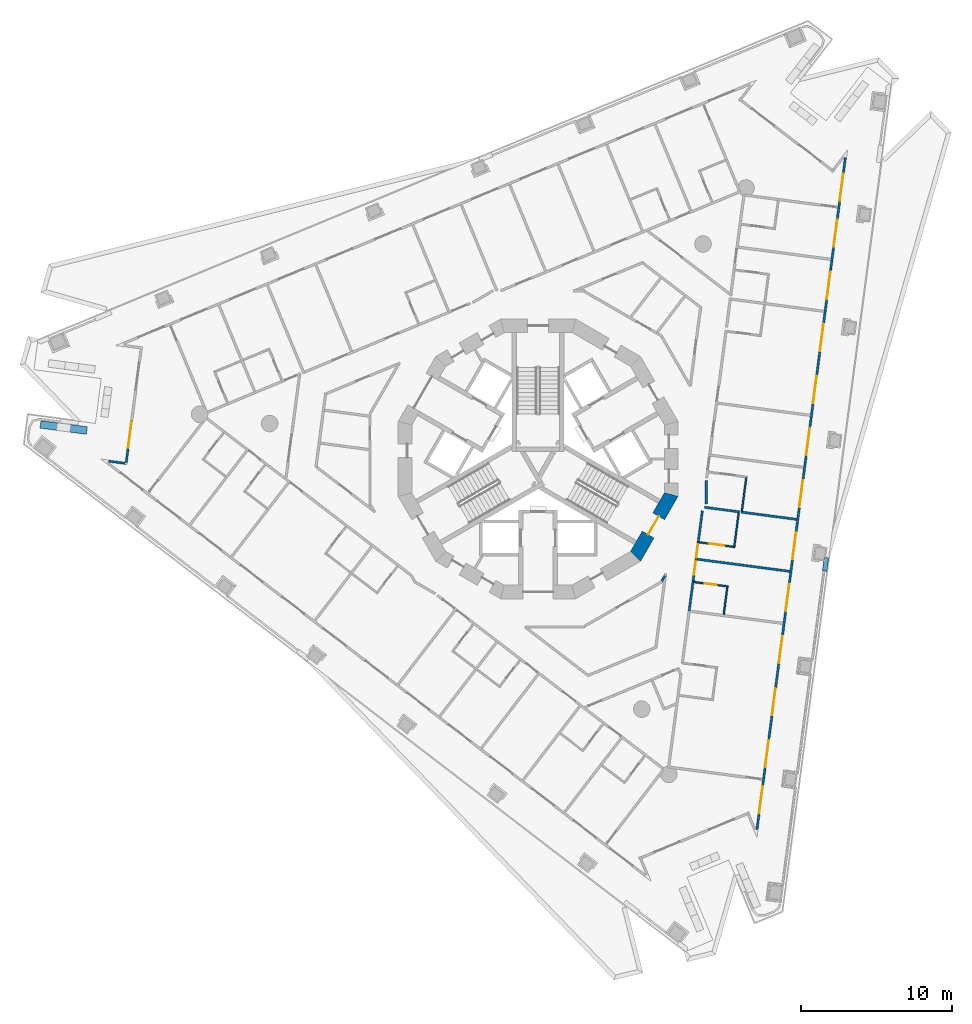
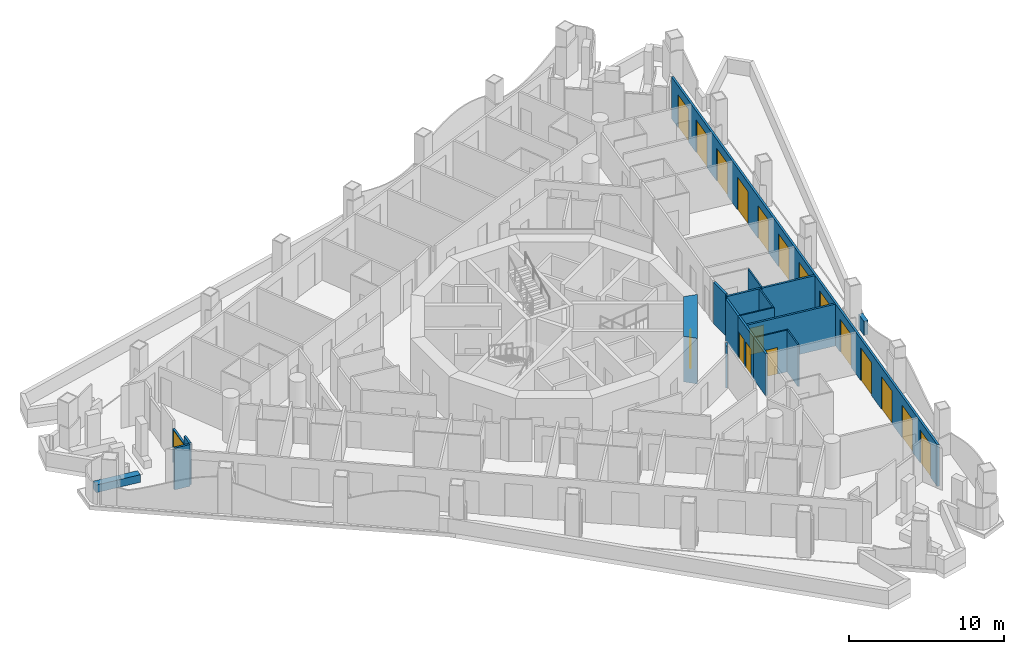
# One storey, part 5 of 19: 20 walls, 19 doors, 19 openings.
"""IFC4 building model written with IfcOpenShell, lengths in metres."""

from ifc_helpers import new_model, si_unit, direction, frame, frame_2d, origin, place, context, subcontext, project, spatial, polyline, rectangle, outline, extrude, material, layer, layer_set, type_object, element, fill, save


model = new_model("IFC4")

# Units and contexts
model_context = context("Model", 3, precision=1e-05, world=origin(), true_north=direction((0.0, 1.0)))
body_context = subcontext(model_context, "Body", "Model", "MODEL_VIEW")
ifc_project = project(units=[si_unit("LENGTHUNIT", "METRE"), si_unit("AREAUNIT", "SQUARE_METRE"), si_unit("VOLUMEUNIT", "CUBIC_METRE"), si_unit("PLANEANGLEUNIT", "RADIAN"), si_unit("MASSUNIT", "GRAM", prefix="KILO")], contexts=[model_context])

# Site, building, storey
site_placement = place(None, origin())
site = spatial("IfcSite", under=ifc_project, at=site_placement, CompositionType="ELEMENT")
building_placement = place(site_placement, origin())
building = spatial("IfcBuilding", under=site, at=building_placement, Name="Trine Commons Tower", CompositionType="ELEMENT")
storey_placement = place(building_placement, frame((0.0, 0.0, 124.199951171875)))
storey = spatial("IfcBuildingStorey", under=building, at=storey_placement, Name="L31", CompositionType="ELEMENT", Elevation=124.199951171875)

# Walls
ifc_material_1 = material(Name="Aluminium-framed insulated wall panel", Category="aluminium")
ifc_layer_1 = layer(ifc_material_1, 0.14990234375)
ifc_layer_set_1 = layer_set([ifc_layer_1], Name="Aluminium-framed insulated wall panel")
wall_type_1 = type_object("IfcWallType", Name="Glazed frame wall 150, EI 60", PredefinedType="SOLIDWALL", material=ifc_layer_set_1)
wall_1_placement = place(storey_placement, frame((51.38671875, 62.36865234375, 0.0), z_axis=(0.0, 0.0, 1.0), x_axis=(0.991446880033, -0.130510858064, 0.0)))
element("IfcWall", 1, at=wall_1_placement, inside=storey, type_object=wall_type_1, Name="Glazed frame wall R1", PredefinedType="SOLIDWALL", context=body_context, shape_type="SweptSolid", body=[
    extrude(outline(polyline([(0.1494140625, 0.074951171875), (0.1494140625, -0.074951171875), (1.235107421875, -0.074951171875), (1.235107421875, 0.074951171875), (0.1494140625, 0.074951171875)])), origin(), (0.0, 0.0, 1.0), 3.300048828125),
])
wall_2_placement = place(storey_placement, frame((52.680908203125, 62.1630859375, 0.0), z_axis=(0.0, 0.0, 1.0), x_axis=(0.130403976344, 0.991460943736, 0.0)))
element("IfcWall", 2, at=wall_2_placement, inside=storey, type_object=wall_type_1, Name="Glazed frame wall P1.1", PredefinedType="SOLIDWALL", context=body_context, shape_type="SweptSolid", body=[
    extrude(outline(polyline([(0.110107421875, -0.074951171875), (1.0, -0.074951171875), (1.0, 0.074951171875), (0.110107421875, 0.074951171875), (0.110107421875, -0.074951171875)])), origin(), (0.0, 0.0, 1.0), 3.300048828125),
])

# Wall, opening, door
wall_3_placement = place(storey_placement, frame((52.811279296875, 63.154296875, 0.0), z_axis=(0.0, 0.0, 1.0), x_axis=(0.130547578832, 0.991442045538, 0.0)))
wall_3 = element("IfcWall", 3, at=wall_3_placement, inside=storey, type_object=wall_type_1, Name="Glazed frame wall P1.2", PredefinedType="SOLIDWALL", context=body_context, shape_type="SweptSolid", body=[
    extrude(outline(polyline([(0.0, -0.074951171875), (1.89990234375, -0.074951171875), (1.89990234375, 0.074951171875), (0.0, 0.074951171875), (0.0, -0.074951171875)])), origin(), (0.0, 0.0, 1.0), 2.650146484375),
])
opening_1_placement = place(wall_3_placement, frame((0.050048828125, 0.0, 0.0)))
opening_1 = element("IfcOpeningElement", 4, at=opening_1_placement, cuts=wall_3, Name="Opening BD-4P1-01", PredefinedType="OPENING", context=body_context, shape_type="SweptSolid", body=[
    extrude(rectangle(XDim=1.800048828125, YDim=2.60009765625, at=frame_2d((0.89990234375, 1.300048828125))), frame((0.0, 0.0849609375, 0.0), z_axis=(0.0, -1.0, 0.0), x_axis=(1.0, 0.0, 0.0)), (0.0, 0.0, 1.0), 0.169921875),
])
ifc_material_2 = material(Name="Anodised aluminium frame with double glazing", Category="aluminium")
door_type_1 = type_object("IfcDoorType", Name="Sliding loggia door 1800x2600", OperationType="SLIDING_TO_LEFT", PredefinedType="DOOR", material=ifc_material_2)
door_1_placement = place(opening_1_placement, origin())
door_1 = element("IfcDoor", 5, at=door_1_placement, inside=storey, type_object=door_type_1, Name="Loggia door P1 1", OperationType="SLIDING_TO_LEFT", OverallHeight=2.60009765625, OverallWidth=1.800048828125, PredefinedType="DOOR", context=body_context, shape_type="SweptSolid", body=[
    extrude(rectangle(XDim=1.800048828125, YDim=2.60009765625, at=frame_2d((0.89990234375, 1.300048828125))), frame((0.0, 0.02490234375, 0.0), z_axis=(0.0, -1.0, 0.0), x_axis=(1.0, 0.0, 0.0)), (0.0, 0.0, 1.0), 0.050048828125),
])
fill(opening_1, door_1)

# Wall, openings, doors
wall_4_placement = place(storey_placement, frame((100.387939453125, 82.614013671875, 0.0), z_axis=(0.0, 0.0, 1.0), x_axis=(-0.130522128443, -0.991445396372, 0.0)))
wall_4 = element("IfcWall", 6, at=wall_4_placement, inside=storey, type_object=wall_type_1, Name="Glazed frame wall F2", PredefinedType="SOLIDWALL", context=body_context, shape_type="SweptSolid", body=[
    extrude(outline(polyline([(0.1494140625, 0.074951171875), (0.1494140625, -0.074951171875), (45.056884765625, -0.074951171875), (45.056884765625, 0.074951171875), (0.1494140625, 0.074951171875)])), origin(), (0.0, 0.0, 1.0), 3.300048828125),
])
opening_2_placement = place(wall_4_placement, frame((1.23876953125, 0.0, 0.0)))
opening_2 = element("IfcOpeningElement", 7, at=opening_2_placement, cuts=wall_4, Name="Opening BD-4F2-01", PredefinedType="OPENING", context=body_context, shape_type="SweptSolid", body=[
    extrude(rectangle(XDim=1.800048828125, YDim=2.60009765625, at=frame_2d((0.89990234375, 1.300048828125))), frame((0.0, 0.0849609375, 0.0), z_axis=(0.0, -1.0, 0.0), x_axis=(1.0, 0.0, 0.0)), (0.0, 0.0, 1.0), 0.169921875),
])
opening_3_placement = place(wall_4_placement, frame((4.316162109375, 0.0, 0.0)))
opening_3 = element("IfcOpeningElement", 8, at=opening_3_placement, cuts=wall_4, Name="Opening BD-4F2-02", PredefinedType="OPENING", context=body_context, shape_type="SweptSolid", body=[
    extrude(rectangle(XDim=1.800048828125, YDim=2.60009765625, at=frame_2d((0.89990234375, 1.300048828125))), frame((0.0, 0.0849609375, 0.0), z_axis=(0.0, -1.0, 0.0), x_axis=(1.0, 0.0, 0.0)), (0.0, 0.0, 1.0), 0.169921875),
])
opening_4_placement = place(wall_4_placement, frame((7.79345703125, 0.0, 0.0)))
opening_4 = element("IfcOpeningElement", 9, at=opening_4_placement, cuts=wall_4, Name="Opening BD-4F2-03", PredefinedType="OPENING", context=body_context, shape_type="SweptSolid", body=[
    extrude(rectangle(XDim=1.800048828125, YDim=2.60009765625, at=frame_2d((0.89990234375, 1.300048828125))), frame((0.0, 0.0849609375, 0.0), z_axis=(0.0, -1.0, 0.0), x_axis=(1.0, 0.0, 0.0)), (0.0, 0.0, 1.0), 0.169921875),
])
opening_5_placement = place(wall_4_placement, frame((11.27099609375, 0.0, 0.0)))
opening_5 = element("IfcOpeningElement", 10, at=opening_5_placement, cuts=wall_4, Name="Opening BD-4F2-04", PredefinedType="OPENING", context=body_context, shape_type="SweptSolid", body=[
    extrude(rectangle(XDim=1.800048828125, YDim=2.60009765625, at=frame_2d((0.89990234375, 1.300048828125))), frame((0.0, 0.0849609375, 0.0), z_axis=(0.0, -1.0, 0.0), x_axis=(1.0, 0.0, 0.0)), (0.0, 0.0, 1.0), 0.169921875),
])
opening_6_placement = place(wall_4_placement, frame((14.748291015625, 0.0, 0.0)))
opening_6 = element("IfcOpeningElement", 11, at=opening_6_placement, cuts=wall_4, Name="Opening BD-4F2-05", PredefinedType="OPENING", context=body_context, shape_type="SweptSolid", body=[
    extrude(rectangle(XDim=1.800048828125, YDim=2.60009765625, at=frame_2d((0.89990234375, 1.300048828125))), frame((0.0, 0.0849609375, 0.0), z_axis=(0.0, -1.0, 0.0), x_axis=(1.0, 0.0, 0.0)), (0.0, 0.0, 1.0), 0.169921875),
])
opening_7_placement = place(wall_4_placement, frame((18.2255859375, 0.0, 0.0)))
opening_7 = element("IfcOpeningElement", 12, at=opening_7_placement, cuts=wall_4, Name="Opening BD-4F2-06", PredefinedType="OPENING", context=body_context, shape_type="SweptSolid", body=[
    extrude(rectangle(XDim=1.800048828125, YDim=2.60009765625, at=frame_2d((0.89990234375, 1.300048828125))), frame((0.0, 0.0849609375, 0.0), z_axis=(0.0, -1.0, 0.0), x_axis=(1.0, 0.0, 0.0)), (0.0, 0.0, 1.0), 0.169921875),
])
opening_8_placement = place(wall_4_placement, frame((21.703125, 0.0, 0.0)))
opening_8 = element("IfcOpeningElement", 13, at=opening_8_placement, cuts=wall_4, Name="Opening BD-4F2-07", PredefinedType="OPENING", context=body_context, shape_type="SweptSolid", body=[
    extrude(rectangle(XDim=1.800048828125, YDim=2.60009765625, at=frame_2d((0.89990234375, 1.300048828125))), frame((0.0, 0.0849609375, 0.0), z_axis=(0.0, -1.0, 0.0), x_axis=(1.0, 0.0, 0.0)), (0.0, 0.0, 1.0), 0.169921875),
])
opening_9_placement = place(wall_4_placement, frame((25.180419921875, 0.0, 0.0)))
opening_9 = element("IfcOpeningElement", 14, at=opening_9_placement, cuts=wall_4, Name="Opening BD-4F2-08", PredefinedType="OPENING", context=body_context, shape_type="SweptSolid", body=[
    extrude(rectangle(XDim=1.800048828125, YDim=2.60009765625, at=frame_2d((0.89990234375, 1.300048828125))), frame((0.0, 0.0849609375, 0.0), z_axis=(0.0, -1.0, 0.0), x_axis=(1.0, 0.0, 0.0)), (0.0, 0.0, 1.0), 0.169921875),
])
opening_10_placement = place(wall_4_placement, frame((28.657958984375, 0.0, 0.0)))
opening_10 = element("IfcOpeningElement", 15, at=opening_10_placement, cuts=wall_4, Name="Opening BD-4F2-09", PredefinedType="OPENING", context=body_context, shape_type="SweptSolid", body=[
    extrude(rectangle(XDim=1.800048828125, YDim=2.60009765625, at=frame_2d((0.89990234375, 1.300048828125))), frame((0.0, 0.0849609375, 0.0), z_axis=(0.0, -1.0, 0.0), x_axis=(1.0, 0.0, 0.0)), (0.0, 0.0, 1.0), 0.169921875),
])
opening_11_placement = place(wall_4_placement, frame((32.13525390625, 0.0, 0.0)))
opening_11 = element("IfcOpeningElement", 16, at=opening_11_placement, cuts=wall_4, Name="Opening BD-4F2-10", PredefinedType="OPENING", context=body_context, shape_type="SweptSolid", body=[
    extrude(rectangle(XDim=1.800048828125, YDim=2.60009765625, at=frame_2d((0.89990234375, 1.300048828125))), frame((0.0, 0.0849609375, 0.0), z_axis=(0.0, -1.0, 0.0), x_axis=(1.0, 0.0, 0.0)), (0.0, 0.0, 1.0), 0.169921875),
])
opening_12_placement = place(wall_4_placement, frame((35.61279296875, 0.0, 0.0)))
opening_12 = element("IfcOpeningElement", 17, at=opening_12_placement, cuts=wall_4, Name="Opening BD-4F2-11", PredefinedType="OPENING", context=body_context, shape_type="SweptSolid", body=[
    extrude(rectangle(XDim=1.800048828125, YDim=2.60009765625, at=frame_2d((0.89990234375, 1.300048828125))), frame((0.0, 0.0849609375, 0.0), z_axis=(0.0, -1.0, 0.0), x_axis=(1.0, 0.0, 0.0)), (0.0, 0.0, 1.0), 0.169921875),
])
opening_13_placement = place(wall_4_placement, frame((39.090087890625, 0.0, 0.0)))
opening_13 = element("IfcOpeningElement", 18, at=opening_13_placement, cuts=wall_4, Name="Opening BD-4F2-12", PredefinedType="OPENING", context=body_context, shape_type="SweptSolid", body=[
    extrude(rectangle(XDim=1.800048828125, YDim=2.60009765625, at=frame_2d((0.89990234375, 1.300048828125))), frame((0.0, 0.0849609375, 0.0), z_axis=(0.0, -1.0, 0.0), x_axis=(1.0, 0.0, 0.0)), (0.0, 0.0, 1.0), 0.169921875),
])
opening_14_placement = place(wall_4_placement, frame((42.16748046875, 0.0, 0.0)))
opening_14 = element("IfcOpeningElement", 19, at=opening_14_placement, cuts=wall_4, Name="Opening BD-4F2-13", PredefinedType="OPENING", context=body_context, shape_type="SweptSolid", body=[
    extrude(rectangle(XDim=1.800048828125, YDim=2.60009765625, at=frame_2d((0.89990234375, 1.300048828125))), frame((0.0, 0.0849609375, 0.0), z_axis=(0.0, -1.0, 0.0), x_axis=(1.0, 0.0, 0.0)), (0.0, 0.0, 1.0), 0.169921875),
])
door_2_placement = place(opening_2_placement, origin())
door_2 = element("IfcDoor", 20, at=door_2_placement, inside=storey, type_object=door_type_1, Name="Loggia door F2 1", OperationType="SLIDING_TO_LEFT", OverallHeight=2.60009765625, OverallWidth=1.800048828125, PredefinedType="DOOR", context=body_context, shape_type="SweptSolid", body=[
    extrude(rectangle(XDim=1.800048828125, YDim=2.60009765625, at=frame_2d((0.89990234375, 1.300048828125))), frame((0.0, 0.02490234375, 0.0), z_axis=(0.0, -1.0, 0.0), x_axis=(1.0, 0.0, 0.0)), (0.0, 0.0, 1.0), 0.050048828125),
])
fill(opening_2, door_2)
door_3_placement = place(opening_3_placement, origin())
door_3 = element("IfcDoor", 21, at=door_3_placement, inside=storey, type_object=door_type_1, Name="Loggia door F2 2", OperationType="SLIDING_TO_LEFT", OverallHeight=2.60009765625, OverallWidth=1.800048828125, PredefinedType="DOOR", context=body_context, shape_type="SweptSolid", body=[
    extrude(rectangle(XDim=1.800048828125, YDim=2.60009765625, at=frame_2d((0.89990234375, 1.300048828125))), frame((0.0, 0.02490234375, 0.0), z_axis=(0.0, -1.0, 0.0), x_axis=(1.0, 0.0, 0.0)), (0.0, 0.0, 1.0), 0.050048828125),
])
fill(opening_3, door_3)
door_4_placement = place(opening_4_placement, origin())
door_4 = element("IfcDoor", 22, at=door_4_placement, inside=storey, type_object=door_type_1, Name="Loggia door F2 3", OperationType="SLIDING_TO_LEFT", OverallHeight=2.60009765625, OverallWidth=1.800048828125, PredefinedType="DOOR", context=body_context, shape_type="SweptSolid", body=[
    extrude(rectangle(XDim=1.800048828125, YDim=2.60009765625, at=frame_2d((0.89990234375, 1.300048828125))), frame((0.0, 0.02490234375, 0.0), z_axis=(0.0, -1.0, 0.0), x_axis=(1.0, 0.0, 0.0)), (0.0, 0.0, 1.0), 0.050048828125),
])
fill(opening_4, door_4)
door_5_placement = place(opening_5_placement, origin())
door_5 = element("IfcDoor", 23, at=door_5_placement, inside=storey, type_object=door_type_1, Name="Loggia door F2 4", OperationType="SLIDING_TO_LEFT", OverallHeight=2.60009765625, OverallWidth=1.800048828125, PredefinedType="DOOR", context=body_context, shape_type="SweptSolid", body=[
    extrude(rectangle(XDim=1.800048828125, YDim=2.60009765625, at=frame_2d((0.89990234375, 1.300048828125))), frame((0.0, 0.02490234375, 0.0), z_axis=(0.0, -1.0, 0.0), x_axis=(1.0, 0.0, 0.0)), (0.0, 0.0, 1.0), 0.050048828125),
])
fill(opening_5, door_5)
door_6_placement = place(opening_6_placement, origin())
door_6 = element("IfcDoor", 24, at=door_6_placement, inside=storey, type_object=door_type_1, Name="Loggia door F2 5", OperationType="SLIDING_TO_LEFT", OverallHeight=2.60009765625, OverallWidth=1.800048828125, PredefinedType="DOOR", context=body_context, shape_type="SweptSolid", body=[
    extrude(rectangle(XDim=1.800048828125, YDim=2.60009765625, at=frame_2d((0.89990234375, 1.300048828125))), frame((0.0, 0.02490234375, 0.0), z_axis=(0.0, -1.0, 0.0), x_axis=(1.0, 0.0, 0.0)), (0.0, 0.0, 1.0), 0.050048828125),
])
fill(opening_6, door_6)
door_7_placement = place(opening_7_placement, origin())
door_7 = element("IfcDoor", 25, at=door_7_placement, inside=storey, type_object=door_type_1, Name="Loggia door F2 6", OperationType="SLIDING_TO_LEFT", OverallHeight=2.60009765625, OverallWidth=1.800048828125, PredefinedType="DOOR", context=body_context, shape_type="SweptSolid", body=[
    extrude(rectangle(XDim=1.800048828125, YDim=2.60009765625, at=frame_2d((0.89990234375, 1.300048828125))), frame((0.0, 0.02490234375, 0.0), z_axis=(0.0, -1.0, 0.0), x_axis=(1.0, 0.0, 0.0)), (0.0, 0.0, 1.0), 0.050048828125),
])
fill(opening_7, door_7)
door_8_placement = place(opening_8_placement, origin())
door_8 = element("IfcDoor", 26, at=door_8_placement, inside=storey, type_object=door_type_1, Name="Loggia door F2 7", OperationType="SLIDING_TO_LEFT", OverallHeight=2.60009765625, OverallWidth=1.800048828125, PredefinedType="DOOR", context=body_context, shape_type="SweptSolid", body=[
    extrude(rectangle(XDim=1.800048828125, YDim=2.60009765625, at=frame_2d((0.89990234375, 1.300048828125))), frame((0.0, 0.02490234375, 0.0), z_axis=(0.0, -1.0, 0.0), x_axis=(1.0, 0.0, 0.0)), (0.0, 0.0, 1.0), 0.050048828125),
])
fill(opening_8, door_8)
door_9_placement = place(opening_9_placement, origin())
door_9 = element("IfcDoor", 27, at=door_9_placement, inside=storey, type_object=door_type_1, Name="Loggia door F2 8", OperationType="SLIDING_TO_LEFT", OverallHeight=2.60009765625, OverallWidth=1.800048828125, PredefinedType="DOOR", context=body_context, shape_type="SweptSolid", body=[
    extrude(rectangle(XDim=1.800048828125, YDim=2.60009765625, at=frame_2d((0.89990234375, 1.300048828125))), frame((0.0, 0.02490234375, 0.0), z_axis=(0.0, -1.0, 0.0), x_axis=(1.0, 0.0, 0.0)), (0.0, 0.0, 1.0), 0.050048828125),
])
fill(opening_9, door_9)
door_10_placement = place(opening_10_placement, origin())
door_10 = element("IfcDoor", 28, at=door_10_placement, inside=storey, type_object=door_type_1, Name="Loggia door F2 9", OperationType="SLIDING_TO_LEFT", OverallHeight=2.60009765625, OverallWidth=1.800048828125, PredefinedType="DOOR", context=body_context, shape_type="SweptSolid", body=[
    extrude(rectangle(XDim=1.800048828125, YDim=2.60009765625, at=frame_2d((0.89990234375, 1.300048828125))), frame((0.0, 0.02490234375, 0.0), z_axis=(0.0, -1.0, 0.0), x_axis=(1.0, 0.0, 0.0)), (0.0, 0.0, 1.0), 0.050048828125),
])
fill(opening_10, door_10)
door_11_placement = place(opening_11_placement, origin())
door_11 = element("IfcDoor", 29, at=door_11_placement, inside=storey, type_object=door_type_1, Name="Loggia door F2 10", OperationType="SLIDING_TO_LEFT", OverallHeight=2.60009765625, OverallWidth=1.800048828125, PredefinedType="DOOR", context=body_context, shape_type="SweptSolid", body=[
    extrude(rectangle(XDim=1.800048828125, YDim=2.60009765625, at=frame_2d((0.89990234375, 1.300048828125))), frame((0.0, 0.02490234375, 0.0), z_axis=(0.0, -1.0, 0.0), x_axis=(1.0, 0.0, 0.0)), (0.0, 0.0, 1.0), 0.050048828125),
])
fill(opening_11, door_11)
door_12_placement = place(opening_12_placement, origin())
door_12 = element("IfcDoor", 30, at=door_12_placement, inside=storey, type_object=door_type_1, Name="Loggia door F2 11", OperationType="SLIDING_TO_LEFT", OverallHeight=2.60009765625, OverallWidth=1.800048828125, PredefinedType="DOOR", context=body_context, shape_type="SweptSolid", body=[
    extrude(rectangle(XDim=1.800048828125, YDim=2.60009765625, at=frame_2d((0.89990234375, 1.300048828125))), frame((0.0, 0.02490234375, 0.0), z_axis=(0.0, -1.0, 0.0), x_axis=(1.0, 0.0, 0.0)), (0.0, 0.0, 1.0), 0.050048828125),
])
fill(opening_12, door_12)
door_13_placement = place(opening_13_placement, origin())
door_13 = element("IfcDoor", 31, at=door_13_placement, inside=storey, type_object=door_type_1, Name="Loggia door F2 12", OperationType="SLIDING_TO_LEFT", OverallHeight=2.60009765625, OverallWidth=1.800048828125, PredefinedType="DOOR", context=body_context, shape_type="SweptSolid", body=[
    extrude(rectangle(XDim=1.800048828125, YDim=2.60009765625, at=frame_2d((0.89990234375, 1.300048828125))), frame((0.0, 0.02490234375, 0.0), z_axis=(0.0, -1.0, 0.0), x_axis=(1.0, 0.0, 0.0)), (0.0, 0.0, 1.0), 0.050048828125),
])
fill(opening_13, door_13)
door_14_placement = place(opening_14_placement, origin())
door_14 = element("IfcDoor", 32, at=door_14_placement, inside=storey, type_object=door_type_1, Name="Loggia door F2 13", OperationType="SLIDING_TO_LEFT", OverallHeight=2.60009765625, OverallWidth=1.800048828125, PredefinedType="DOOR", context=body_context, shape_type="SweptSolid", body=[
    extrude(rectangle(XDim=1.800048828125, YDim=2.60009765625, at=frame_2d((0.89990234375, 1.300048828125))), frame((0.0, 0.02490234375, 0.0), z_axis=(0.0, -1.0, 0.0), x_axis=(1.0, 0.0, 0.0)), (0.0, 0.0, 1.0), 0.050048828125),
])
fill(opening_14, door_14)

# Wall
ifc_material_3 = material(Name="Planter trough, precast concrete C40/50", Category="concrete")
ifc_layer_2 = layer(ifc_material_3, 0.5)
ifc_layer_set_2 = layer_set([ifc_layer_2], Name="Planter trough, precast concrete C40/50")
wall_type_2 = type_object("IfcWallType", Name="Planter trough 500x600", PredefinedType="PARAPET", material=ifc_layer_set_2)
wall_5_placement = place(storey_placement, frame((47.009765625, 64.78564453125, 0.0), z_axis=(0.0, 0.0, 1.0), x_axis=(0.991448665422, -0.130497294353, 0.0)))
element("IfcWall", 33, at=wall_5_placement, inside=storey, type_object=wall_type_2, Name="Planter 1", PredefinedType="PARAPET", context=body_context, shape_type="SweptSolid", body=[
    extrude(rectangle(XDim=3.10009765625, YDim=0.5, at=frame_2d((1.550048828125, 0.0))), origin(), (0.0, 0.0, 1.0), 0.60009765625),
])

# Wall, opening, door
ifc_material_4 = material(Name="Concrete C70/85", Category="concrete")
ifc_layer_3 = layer(ifc_material_4, 0.89990234375)
ifc_layer_set_3 = layer_set([ifc_layer_3], Name="Concrete C70/85")
wall_type_3 = type_object("IfcWallType", Name="RC shear wall 900 mm, C70/85", PredefinedType="SHEAR", material=ifc_layer_set_3)
wall_6_placement = place(storey_placement, frame((86.3984375, 55.936767578125, 0.0), z_axis=(0.0, 0.0, 1.0), x_axis=(0.500038571144, 0.866003133579, 0.0)))
wall_6 = element("IfcWall", 34, at=wall_6_placement, inside=storey, type_object=wall_type_3, Name="Core wall CWD-12 L31", PredefinedType="SHEAR", context=body_context, shape_type="SweptSolid", body=[
    extrude(outline(polyline([(0.0, -0.449951171875), (4.96923828125, -0.449951171875), (4.72802734375, 0.449951171875), (0.2412109375, 0.449951171875), (0.0, -0.449951171875)])), origin(), (0.0, 0.0, 1.0), 3.60009765625),
])
opening_15_placement = place(wall_6_placement, frame((1.78466796875, 0.0, 0.0)))
opening_15 = element("IfcOpeningElement", 35, at=opening_15_placement, cuts=wall_6, Name="Opening K10.03", PredefinedType="OPENING", context=body_context, shape_type="SweptSolid", body=[
    extrude(rectangle(XDim=1.39990234375, YDim=2.10009765625, at=frame_2d((0.699951171875, 1.050048828125))), frame((0.0, 0.4599609375, 0.0), z_axis=(0.0, -1.0, 0.0), x_axis=(1.0, 0.0, 0.0)), (0.0, 0.0, 1.0), 0.919921875),
])
ifc_material_5 = material(Name="Steel door leaves, fire-rated", Category="steel")
door_type_2 = type_object("IfcDoorType", Name="Stair door, double leaf 1400 x 2100, FD90", OperationType="DOUBLE_DOOR_SINGLE_SWING", PredefinedType="DOOR", material=ifc_material_5)
door_15_placement = place(opening_15_placement, origin())
door_15 = element("IfcDoor", 36, at=door_15_placement, inside=storey, type_object=door_type_2, Name="Stair door to Exit stair ST3B L31", OperationType="DOUBLE_DOOR_SINGLE_SWING", OverallHeight=2.10009765625, OverallWidth=1.39990234375, PredefinedType="DOOR", context=body_context, shape_type="SweptSolid", body=[
    extrude(rectangle(XDim=1.39990234375, YDim=2.10009765625, at=frame_2d((0.699951171875, 1.050048828125))), frame((0.0, 0.02490234375, 0.0), z_axis=(0.0, -1.0, 0.0), x_axis=(1.0, 0.0, 0.0)), (0.0, 0.0, 1.0), 0.050048828125),
])
fill(opening_15, door_15)

# Walls
ifc_material_6 = material(Name="Limestone, honed", Category="masonry")
ifc_layer_4 = layer(ifc_material_6, 0.300048828125)
ifc_layer_set_4 = layer_set([ifc_layer_4], Name="Limestone, honed")
wall_type_4 = type_object("IfcWallType", Name="Stone parapet 300", PredefinedType="PARAPET", material=ifc_layer_set_4)
wall_7_placement = place(storey_placement, origin())
element("IfcWall", 37, at=wall_7_placement, inside=storey, type_object=wall_type_4, Name="Sliver roof parapet extension L30 6.X1", PredefinedType="PARAPET", context=body_context, shape_type="SweptSolid", body=[
    extrude(outline(polyline([(99.260986328125, 55.9345703125), (98.963623046875, 55.973876953125), (98.84619140625, 55.08154296875), (99.1435546875, 55.042236328125), (99.152587890625, 55.110107421875), (99.260986328125, 55.9345703125)])), origin(), (0.0, 0.0, 1.0), 1.10009765625),
])
ifc_material_7 = material(Name="Gypsum plasterboard on steel stud", Category="steel")
ifc_layer_5 = layer(ifc_material_7, 0.14990234375)
ifc_layer_set_5 = layer_set([ifc_layer_5], Name="Gypsum plasterboard on steel stud")
wall_type_5 = type_object("IfcWallType", Name="Unit and corridor wall 150 mm, EI 60", PredefinedType="PARTITIONING", material=ifc_layer_set_5)
wall_8_placement = place(storey_placement, frame((88.198486328125, 54.404052734375, 0.0), z_axis=(0.0, 0.0, 1.0), x_axis=(0.499481060725, 0.866324806281, 0.0)))
element("IfcWall", 38, at=wall_8_placement, inside=storey, type_object=wall_type_5, Name="Partition 091", PredefinedType="PARTITIONING", context=body_context, shape_type="SweptSolid", body=[
    extrude(rectangle(XDim=0.40869140625, YDim=0.14990234375, at=frame_2d((0.204345703125, 0.0))), origin(), (0.0, 0.0, 1.0), 3.300048828125),
])
wall_9_placement = place(storey_placement, frame((90.002197265625, 52.334716796875, 0.0), z_axis=(0.0, 0.0, 1.0), x_axis=(0.130697081864, 0.991422348342, 0.0)))
element("IfcWall", 39, at=wall_9_placement, inside=storey, type_object=wall_type_5, Name="Partition 104", PredefinedType="PARTITIONING", context=body_context, shape_type="SweptSolid", body=[
    extrude(rectangle(XDim=2.082763671875, YDim=0.14990234375, at=frame_2d((1.04150390625, 0.0))), origin(), (0.0, 0.0, 1.0), 3.300048828125),
])

# Wall, openings, doors
wall_10_placement = place(storey_placement, frame((90.26708984375, 54.342041015625, 0.0), z_axis=(0.0, 0.0, 1.0), x_axis=(0.13024822895, 0.991481416294, 0.0)))
wall_10 = element("IfcWall", 40, at=wall_10_placement, inside=storey, type_object=wall_type_5, Name="Partition 107", PredefinedType="PARTITIONING", context=body_context, shape_type="SweptSolid", body=[
    extrude(rectangle(XDim=2.66357421875, YDim=0.14990234375, at=frame_2d((1.331787109375, 0.0))), origin(), (0.0, 0.0, 1.0), 3.300048828125),
])
opening_16_placement = place(wall_10_placement, frame((1.612060546875, 0.0, 0.0)))
opening_16 = element("IfcOpeningElement", 41, at=opening_16_placement, cuts=wall_10, Name="Opening D-4A20", PredefinedType="OPENING", context=body_context, shape_type="SweptSolid", body=[
    extrude(rectangle(XDim=0.89990234375, YDim=2.10009765625, at=frame_2d((0.449951171875, 1.050048828125))), frame((0.0, 0.0849609375, 0.0), z_axis=(0.0, -1.0, 0.0), x_axis=(1.0, 0.0, 0.0)), (0.0, 0.0, 1.0), 0.169921875),
])
opening_17_placement = place(wall_10_placement, frame((0.482177734375, 0.0, 0.0)))
opening_17 = element("IfcOpeningElement", 42, at=opening_17_placement, cuts=wall_10, Name="Opening D-4A21", PredefinedType="OPENING", context=body_context, shape_type="SweptSolid", body=[
    extrude(rectangle(XDim=0.89990234375, YDim=2.10009765625, at=frame_2d((0.449951171875, 1.050048828125))), frame((0.0, 0.0849609375, 0.0), z_axis=(0.0, -1.0, 0.0), x_axis=(1.0, 0.0, 0.0)), (0.0, 0.0, 1.0), 0.169921875),
])
ifc_material_8 = material(Name="Timber fire door set", Category="wood")
door_type_3 = type_object("IfcDoorType", Name="Bedroom door 900 x 2100, FD30S", OperationType="NOTDEFINED", PredefinedType="DOOR", material=ifc_material_8)
door_16_placement = place(opening_16_placement, frame((0.89990234375, 0.0, 0.0), z_axis=(0.0, 0.0, 1.0), x_axis=(-1.0, 0.0, 0.0)))
door_16 = element("IfcDoor", 43, at=door_16_placement, inside=storey, type_object=door_type_3, Name="Door D-4A20", OperationType="SINGLE_SWING_LEFT", OverallHeight=2.10009765625, OverallWidth=0.89990234375, PredefinedType="DOOR", context=body_context, shape_type="SweptSolid", body=[
    extrude(rectangle(XDim=0.89990234375, YDim=2.10009765625, at=frame_2d((0.449951171875, 1.050048828125))), frame((0.0, 0.02490234375, 0.0), z_axis=(0.0, -1.0, 0.0), x_axis=(1.0, 0.0, 0.0)), (0.0, 0.0, 1.0), 0.050048828125),
])
fill(opening_16, door_16)
door_17_placement = place(opening_17_placement, frame((0.89990234375, 0.0, 0.0), z_axis=(0.0, 0.0, 1.0), x_axis=(-1.0, 0.0, 0.0)))
door_17 = element("IfcDoor", 44, at=door_17_placement, inside=storey, type_object=door_type_3, Name="Door D-4A21", OperationType="SINGLE_SWING_RIGHT", OverallHeight=2.10009765625, OverallWidth=0.89990234375, PredefinedType="DOOR", context=body_context, shape_type="SweptSolid", body=[
    extrude(rectangle(XDim=0.89990234375, YDim=2.10009765625, at=frame_2d((0.449951171875, 1.050048828125))), frame((0.0, 0.02490234375, 0.0), z_axis=(0.0, -1.0, 0.0), x_axis=(1.0, 0.0, 0.0)), (0.0, 0.0, 1.0), 0.050048828125),
])
fill(opening_17, door_17)

# Walls
wall_11_placement = place(storey_placement, frame((90.54150390625, 55.851318359375, 0.0), z_axis=(0.0, 0.0, 1.0), x_axis=(0.991431876291, -0.130624785832, 0.0)))
element("IfcWall", 45, at=wall_11_placement, inside=storey, type_object=wall_type_5, Name="Partition 109", PredefinedType="PARTITIONING", context=body_context, shape_type="SweptSolid", body=[
    extrude(rectangle(XDim=6.19384765625, YDim=0.14990234375, at=frame_2d((3.096923828125, 0.0))), origin(), (0.0, 0.0, 1.0), 3.300048828125),
])
wall_12_placement = place(storey_placement, frame((90.613037109375, 56.97509765625, 0.0), z_axis=(0.0, 0.0, 1.0), x_axis=(0.130718775618, 0.99141948826, 0.0)))
element("IfcWall", 46, at=wall_12_placement, inside=storey, type_object=wall_type_5, Name="Partition 110", PredefinedType="PARTITIONING", context=body_context, shape_type="SweptSolid", body=[
    extrude(rectangle(XDim=2.10302734375, YDim=0.14990234375, at=frame_2d((1.051513671875, 0.0))), origin(), (0.0, 0.0, 1.0), 3.300048828125),
])
wall_13_placement = place(storey_placement, frame((91.02197265625, 59.294921875, 0.0), z_axis=(0.0, 0.0, 1.0), x_axis=(0.991419384597, -0.130719561828, 0.0)))
element("IfcWall", 47, at=wall_13_placement, inside=storey, type_object=wall_type_5, Name="Partition 115", PredefinedType="PARTITIONING", context=body_context, shape_type="SweptSolid", body=[
    extrude(rectangle(XDim=2.35888671875, YDim=0.14990234375, at=frame_2d((1.179443359375, 0.0))), origin(), (0.0, 0.0, 1.0), 3.300048828125),
])
wall_14_placement = place(storey_placement, frame((91.14794921875, 59.512939453125, 0.0), z_axis=(0.0, 0.0, 1.0), x_axis=(0.0, 1.0, 0.0)))
element("IfcWall", 48, at=wall_14_placement, inside=storey, type_object=wall_type_5, Name="Partition 116", PredefinedType="PARTITIONING", context=body_context, shape_type="SweptSolid", body=[
    extrude(rectangle(XDim=1.550048828125, YDim=0.14990234375, at=frame_2d((0.77490234375, 0.0))), origin(), (0.0, 0.0, 1.0), 3.300048828125),
])
wall_15_placement = place(storey_placement, frame((93.4462890625, 58.9755859375, 0.0), z_axis=(0.0, 0.0, 1.0), x_axis=(0.991460099763, -0.130410392903, 0.0)))
element("IfcWall", 49, at=wall_15_placement, inside=storey, type_object=wall_type_5, Name="Partition 136", PredefinedType="PARTITIONING", context=body_context, shape_type="SweptSolid", body=[
    extrude(rectangle(XDim=3.7216796875, YDim=0.14990234375, at=frame_2d((1.86083984375, 0.0))), origin(), (0.0, 0.0, 1.0), 3.300048828125),
])

# Wall, opening, door
ifc_layer_6 = layer(ifc_material_7, 0.10009765625)
ifc_layer_set_6 = layer_set([ifc_layer_6], Name="Gypsum plasterboard on steel stud")
wall_type_6 = type_object("IfcWallType", Name="Unit partition 100 mm, no rating", PredefinedType="PARTITIONING", material=ifc_layer_set_6)
wall_16_placement = place(storey_placement, frame((90.34228515625, 54.336181640625, 0.0), z_axis=(0.0, 0.0, 1.0), x_axis=(0.991461599928, -0.130398987217, 0.0)))
wall_16 = element("IfcWall", 50, at=wall_16_placement, inside=storey, type_object=wall_type_6, Name="Partition 108", PredefinedType="PARTITIONING", context=body_context, shape_type="SweptSolid", body=[
    extrude(rectangle(XDim=2.27490234375, YDim=0.10009765625, at=frame_2d((1.137451171875, 0.0))), origin(), (0.0, 0.0, 1.0), 3.300048828125),
])
opening_18_placement = place(wall_16_placement, frame((0.71240234375, 0.0, 0.0)))
opening_18 = element("IfcOpeningElement", 51, at=opening_18_placement, cuts=wall_16, Name="Opening D-4A49", PredefinedType="OPENING", context=body_context, shape_type="SweptSolid", body=[
    extrude(rectangle(XDim=0.800048828125, YDim=2.10009765625, at=frame_2d((0.39990234375, 1.050048828125))), frame((0.0, 0.06005859375, 0.0), z_axis=(0.0, -1.0, 0.0), x_axis=(1.0, 0.0, 0.0)), (0.0, 0.0, 1.0), 0.1201171875),
])
ifc_material_9 = material(Name="Painted timber", Category="wood")
door_type_4 = type_object("IfcDoorType", Name="Internal door 800 x 2100, NOT RATED", OperationType="NOTDEFINED", PredefinedType="DOOR", material=ifc_material_9)
door_18_placement = place(opening_18_placement, origin())
door_18 = element("IfcDoor", 52, at=door_18_placement, inside=storey, type_object=door_type_4, Name="Door D-4A49", OperationType="SINGLE_SWING_LEFT", OverallHeight=2.10009765625, OverallWidth=0.800048828125, PredefinedType="DOOR", context=body_context, shape_type="SweptSolid", body=[
    extrude(rectangle(XDim=0.800048828125, YDim=2.10009765625, at=frame_2d((0.39990234375, 1.050048828125))), frame((0.0, 0.02490234375, 0.0), z_axis=(0.0, -1.0, 0.0), x_axis=(1.0, 0.0, 0.0)), (0.0, 0.0, 1.0), 0.050048828125),
])
fill(opening_18, door_18)

wall_17_placement = place(storey_placement, frame((90.6884765625, 56.96923828125, 0.0), z_axis=(0.0, 0.0, 1.0), x_axis=(0.991394526873, -0.130907952726, 0.0)))
wall_17 = element("IfcWall", 53, at=wall_17_placement, inside=storey, type_object=wall_type_6, Name="Partition 111", PredefinedType="PARTITIONING", context=body_context, shape_type="SweptSolid", body=[
    extrude(rectangle(XDim=2.381591796875, YDim=0.10009765625, at=frame_2d((1.19091796875, 0.0))), origin(), (0.0, 0.0, 1.0), 3.300048828125),
])
opening_19_placement = place(wall_17_placement, frame((0.666015625, 0.0, 0.0)))
opening_19 = element("IfcOpeningElement", 54, at=opening_19_placement, cuts=wall_17, Name="Opening D-4A48", PredefinedType="OPENING", context=body_context, shape_type="SweptSolid", body=[
    extrude(rectangle(XDim=1.0, YDim=2.10009765625, at=frame_2d((0.5, 1.050048828125))), frame((0.0, 0.06005859375, 0.0), z_axis=(0.0, -1.0, 0.0), x_axis=(1.0, 0.0, 0.0)), (0.0, 0.0, 1.0), 0.1201171875),
])
door_type_5 = type_object("IfcDoorType", Name="Internal door 1000 x 2100, NOT RATED", OperationType="NOTDEFINED", PredefinedType="DOOR", material=ifc_material_9)
door_19_placement = place(opening_19_placement, frame((1.0, 0.0, 0.0), z_axis=(0.0, 0.0, 1.0), x_axis=(-1.0, 0.0, 0.0)))
door_19 = element("IfcDoor", 55, at=door_19_placement, inside=storey, type_object=door_type_5, Name="Door D-4A48", OperationType="SINGLE_SWING_RIGHT", OverallHeight=2.10009765625, OverallWidth=1.0, PredefinedType="DOOR", context=body_context, shape_type="SweptSolid", body=[
    extrude(rectangle(XDim=1.0, YDim=2.10009765625, at=frame_2d((0.5, 1.050048828125))), frame((0.0, 0.02490234375, 0.0), z_axis=(0.0, -1.0, 0.0), x_axis=(1.0, 0.0, 0.0)), (0.0, 0.0, 1.0), 0.050048828125),
])
fill(opening_19, door_19)

# Walls
wall_18_placement = place(storey_placement, frame((92.302734375, 52.1875, 0.0), z_axis=(0.0, 0.0, 1.0), x_axis=(0.130866407284, 0.991400011824, 0.0)))
element("IfcWall", 56, at=wall_18_placement, inside=storey, type_object=wall_type_6, Name="Partition 124", PredefinedType="PARTITIONING", context=body_context, shape_type="SweptSolid", body=[
    extrude(rectangle(XDim=1.824462890625, YDim=0.10009765625, at=frame_2d((0.912109375, 0.0))), origin(), (0.0, 0.0, 1.0), 3.300048828125),
])
for number, where, z_axis, x_axis, name in (
    (57, (93.006591796875, 56.713623046875, 0.0), (0.0, 0.0, 1.0), (0.130568042, 0.991439350847, 0.0), "Partition 132"),
    (58, (93.505859375, 59.04345703125, 0.0), (0.0, 0.0, 1.0), (0.130568042, 0.991439350847, 0.0), "Partition 135"),
):
    element("IfcWall", number, at=place(storey_placement, frame(where, z_axis=z_axis, x_axis=x_axis)), inside=storey, type_object=wall_type_6, Name=name, PredefinedType="PARTITIONING", context=body_context, shape_type="SweptSolid", body=[
        extrude(rectangle(XDim=2.22509765625, YDim=0.10009765625, at=frame_2d((1.112548828125, 0.0))), origin(), (0.0, 0.0, 1.0), 3.300048828125),
    ])

save(model, "model.ifc")
